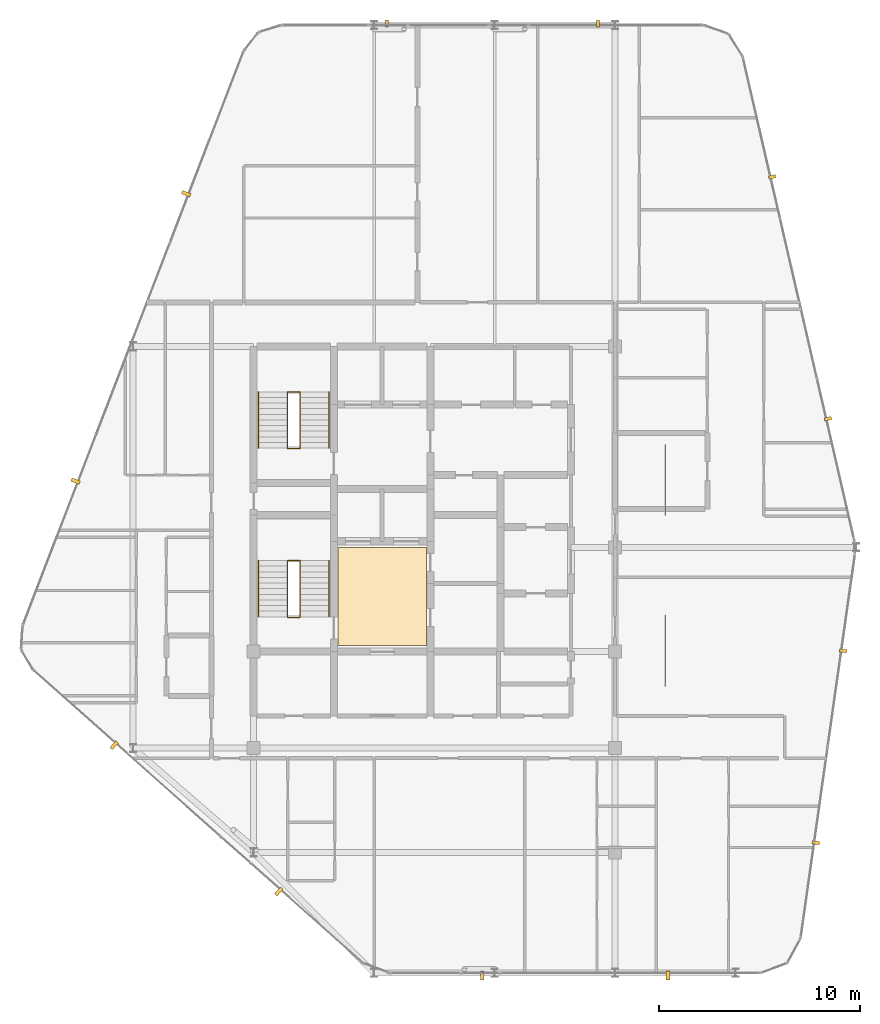
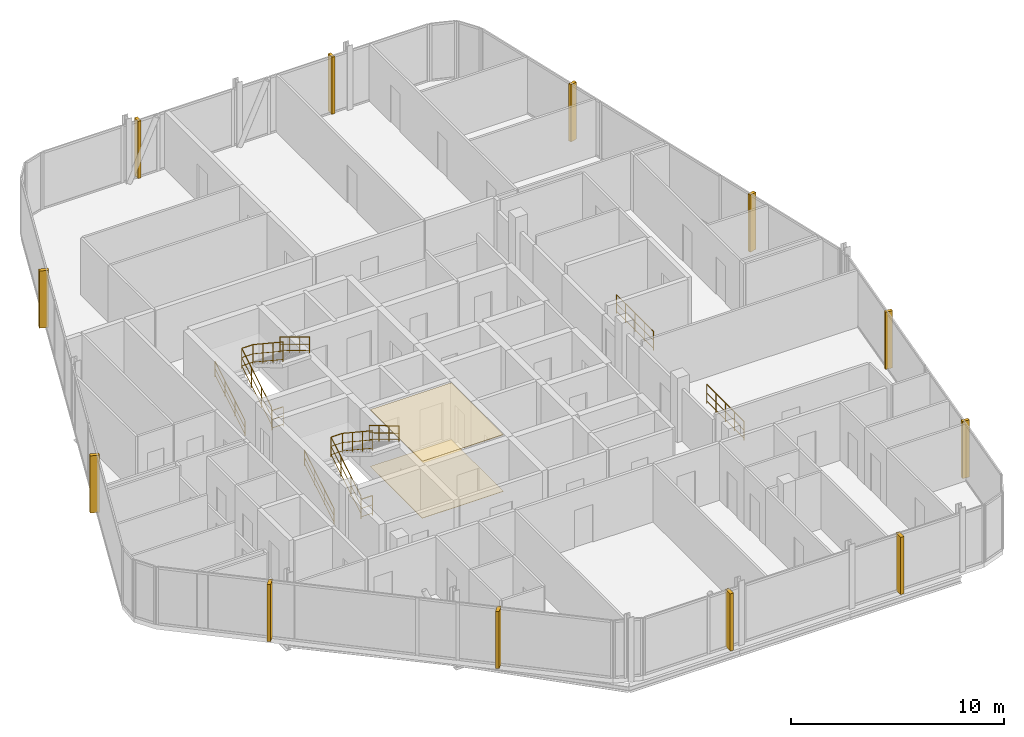
# One storey, part 27 of 27: 14 coverings, 10 railings.
"""IFC4 building model written with IfcOpenShell, lengths in metres."""

import ifcopenshell
import ifcopenshell.guid

model = None  # the IFC model being written
_history = None  # IfcOwnerHistory: only IFC2X3 demands one
_inside = {}  # id of a spatial element -> (the spatial element, [elements in it])
_under = {}  # id of a project, library or spatial element -> (it, [spatial elements below it])
_declared = {}  # id of a project -> (the project, [libraries it declares])
_typed = {}  # id of a type object -> (the type object, [elements of that type])
_made_of = {}  # id of a material, layer set ... -> (it, [elements and type objects made of it])


def new_model(schema):
    """Start an empty IFC model of exactly this schema.

    Asked for "IFC4X3", IfcOpenShell would pick the latest addendum, in which some entities
    have other attributes; the version numbers below select the first issue.
    IFC2X3 requires an IfcOwnerHistory on every rooted entity: one is made here for all.
    """
    global model, _history
    if schema == "IFC4X3":
        model = ifcopenshell.file(schema_version=(4, 3, 0, 0))
    else:
        model = ifcopenshell.file(schema=schema)
    _inside.clear()
    _under.clear()
    _declared.clear()
    _typed.clear()
    _made_of.clear()
    _history = None
    if model.schema == "IFC2X3":
        org = make("IfcOrganization", Name="unknown")
        user = make(
            "IfcPersonAndOrganization",
            ThePerson=make("IfcPerson", FamilyName="unknown"),
            TheOrganization=org,
        )
        app = make(
            "IfcApplication",
            ApplicationDeveloper=org,
            Version="unknown",
            ApplicationFullName="unknown",
            ApplicationIdentifier="unknown",
        )
        _history = make(
            "IfcOwnerHistory",
            OwningUser=user,
            OwningApplication=app,
            ChangeAction="ADDED",
            CreationDate=0,
        )
    return model


def make(cls, **values):
    """One entity of the class cls with the attributes given. An attribute that is None is left unset."""
    return model.create_entity(
        cls, **{name: value for name, value in values.items() if value is not None}
    )


def rooted(cls, **values):
    """An entity with a GlobalId (a new one), such as an element, a storey or a relation."""
    return make(cls, GlobalId=ifcopenshell.guid.new(), OwnerHistory=_history, **values)


def si_unit(unit_type, name, prefix=None):
    """IfcSIUnit, for example si_unit("LENGTHUNIT", "METRE", prefix="MILLI")."""
    return make("IfcSIUnit", UnitType=unit_type, Prefix=prefix, Name=name)


def assignment(units):
    """IfcUnitAssignment: the units of a project."""
    return None if units is None else make("IfcUnitAssignment", Units=units)


def point(xyz):
    """IfcCartesianPoint."""
    return None if xyz is None else make("IfcCartesianPoint", Coordinates=xyz)


def direction(xyz):
    """IfcDirection."""
    return None if xyz is None else make("IfcDirection", DirectionRatios=xyz)


def frame(location, z_axis=None, x_axis=None):
    """IfcAxis2Placement3D, a coordinate frame: its origin and axes. An axis left out is left unset."""
    return make(
        "IfcAxis2Placement3D",
        Location=point(location),
        Axis=direction(z_axis),
        RefDirection=direction(x_axis),
    )


def frame_2d(location, x_axis=None):
    """IfcAxis2Placement2D, a coordinate frame in the plane: its origin and x axis."""
    return make(
        "IfcAxis2Placement2D", Location=point(location), RefDirection=direction(x_axis)
    )


def origin():
    """The frame at (0, 0, 0) with its axes left unset."""
    return frame((0.0, 0.0, 0.0))


def origin_2d():
    """The frame at (0, 0) in the plane with its x axis left unset."""
    return frame_2d((0.0, 0.0))


def place(relative_to, where):
    """IfcLocalPlacement: puts the frame where relative to a parent placement (None: the world)."""
    return make(
        "IfcLocalPlacement", PlacementRelTo=relative_to, RelativePlacement=where
    )


def context(
    kind, dimensions, precision=None, world=None, true_north=None, identifier=None
):
    """IfcGeometricRepresentationContext, for example the 3D "Model" context."""
    return make(
        "IfcGeometricRepresentationContext",
        ContextIdentifier=identifier,
        ContextType=kind,
        CoordinateSpaceDimension=dimensions,
        Precision=precision,
        WorldCoordinateSystem=world,
        TrueNorth=true_north,
    )


def subcontext(parent, identifier, kind, view, scale=None):
    """IfcGeometricRepresentationSubContext, for example "Body" below "Model"."""
    return make(
        "IfcGeometricRepresentationSubContext",
        ContextIdentifier=identifier,
        ContextType=kind,
        ParentContext=parent,
        TargetScale=scale,
        TargetView=view,
    )


def project(units=None, contexts=None):
    """IfcProject with its units and contexts."""
    return rooted(
        "IfcProject",
        Name="project",
        RepresentationContexts=contexts,
        UnitsInContext=assignment(units),
    )


def spatial(cls, under=None, at=None, **own):
    """A site, building, storey or space (cls), placed at a placement, below another one or the project."""
    s = rooted(cls, ObjectPlacement=at, **own)
    if under is not None:
        _under.setdefault(under.id(), (under, []))[1].append(s)
    return s


def polyline(points):
    """IfcPolyline through the points."""
    return make("IfcPolyline", Points=[point(p) for p in points])


def profile(cls, at=None, kind="AREA", **sizes):
    """A parametric profile (cls). Its sizes go by their IFC names, for example OverallWidth=200.0."""
    return make(cls, ProfileType=kind, Position=at, **sizes)


def rectangle(**sizes):
    """IfcRectangleProfileDef."""
    return profile("IfcRectangleProfileDef", **sizes)


def circle(**sizes):
    """IfcCircleProfileDef."""
    return profile("IfcCircleProfileDef", **sizes)


def outline(outer, holes=None, kind="AREA"):
    """IfcArbitraryClosedProfileDef: a profile drawn as a closed curve; with holes, ...WithVoids."""
    if holes is None:
        return make("IfcArbitraryClosedProfileDef", ProfileType=kind, OuterCurve=outer)
    return make(
        "IfcArbitraryProfileDefWithVoids",
        ProfileType=kind,
        OuterCurve=outer,
        InnerCurves=holes,
    )


def extrude(swept, where, along, depth):
    """IfcExtrudedAreaSolid: the profile swept, set in the frame where, extruded along a direction by depth."""
    return make(
        "IfcExtrudedAreaSolid",
        SweptArea=swept,
        Position=where,
        ExtrudedDirection=direction(along),
        Depth=depth,
    )


def shape(context_of_items, identifier, shape_type, items):
    """IfcShapeRepresentation: the items that make up one representation, for example the "Body"."""
    return make(
        "IfcShapeRepresentation",
        ContextOfItems=context_of_items,
        RepresentationIdentifier=identifier,
        RepresentationType=shape_type,
        Items=items,
    )


def material(Name=None, Category=None):
    """IfcMaterial."""
    return make("IfcMaterial", Name=Name, Category=Category)


def layer(
    of_material, thickness, ventilated=None, Name=None, Category=None, Priority=None
):
    """IfcMaterialLayer: one layer of a wall or slab, of a material (None: an air gap)."""
    return make(
        "IfcMaterialLayer",
        Material=of_material,
        LayerThickness=thickness,
        IsVentilated=ventilated,
        Name=Name,
        Category=Category,
        Priority=Priority,
    )


def layer_set(layers, Name=None):
    """IfcMaterialLayerSet."""
    return make("IfcMaterialLayerSet", MaterialLayers=layers, LayerSetName=Name)


def made_of(thing, what):
    """Note that an element or type object is made of a material, layer set ...; save() writes the relation."""
    if what is not None:
        _made_of.setdefault(what.id(), (what, []))[1].append(thing)
    return thing


def type_object(cls, material=None, **own):
    """A type object (cls), such as IfcWallType, which elements share."""
    return made_of(rooted(cls, **own), material)


def element(
    cls,
    number,
    at=None,
    inside=None,
    cuts=None,
    type_object=None,
    material=None,
    context=None,
    identifier="Body",
    shape_type=None,
    held_by="IfcProductDefinitionShape",
    body=None,
    shapes=None,
    **own,
):
    """One element of the class cls, such as IfcWall. Its Tag is "e" and its number.

    at: its placement. inside: the storey or other place that contains it. cuts: it is an
    opening in that element (IfcRelVoidsElement). A single representation is given by context,
    identifier, shape_type and body (its items); several are given by shapes. held_by: the class
    of the entity that holds the representations. save() writes the other relations.
    """
    e = rooted(cls, Tag="e%d" % number, ObjectPlacement=at, **own)
    if body is not None:
        shapes = [shape(context, identifier, shape_type, body)]
    if shapes is not None:
        e.Representation = make(held_by, Representations=shapes)
    if inside is not None:
        _inside.setdefault(inside.id(), (inside, []))[1].append(e)
    if cuts is not None:
        rooted(
            "IfcRelVoidsElement", RelatingBuildingElement=cuts, RelatedOpeningElement=e
        )
    if type_object is not None:
        _typed.setdefault(type_object.id(), (type_object, []))[1].append(e)
    return made_of(e, material)


def aggregate(whole, parts):
    """IfcRelAggregates: a whole, such as a stair, and the parts it consists of."""
    return rooted("IfcRelAggregates", RelatingObject=whole, RelatedObjects=parts)


def save(model, path):
    """Write the relations noted so far, then the file.

    IfcRelAggregates (storeys below a building ...), IfcRelContainedInSpatialStructure (elements
    in a storey), IfcRelDefinesByType, IfcRelAssociatesMaterial and IfcRelDeclares: one each for
    every whole, place, type object, material and project.
    """
    for whole, parts in _under.values():
        aggregate(whole, parts)
    for where, things in _inside.values():
        rooted(
            "IfcRelContainedInSpatialStructure",
            RelatedElements=things,
            RelatingStructure=where,
        )
    for kind, things in _typed.values():
        rooted("IfcRelDefinesByType", RelatedObjects=things, RelatingType=kind)
    for what, things in _made_of.values():
        rooted("IfcRelAssociatesMaterial", RelatedObjects=things, RelatingMaterial=what)
    for by, libraries in _declared.values():
        rooted("IfcRelDeclares", RelatingContext=by, RelatedDefinitions=libraries)
    model.write(path)


model = new_model("IFC4")

# Units and contexts
model_context = context("Model", 3, precision=1e-05, world=origin(), true_north=direction((0.0, 1.0)))
body_context = subcontext(model_context, "Body", "Model", "MODEL_VIEW")
ifc_project = project(units=[si_unit("LENGTHUNIT", "METRE"), si_unit("AREAUNIT", "SQUARE_METRE"), si_unit("VOLUMEUNIT", "CUBIC_METRE"), si_unit("PLANEANGLEUNIT", "RADIAN"), si_unit("MASSUNIT", "GRAM", prefix="KILO")], contexts=[model_context])

# Site, building, storey
site_placement = place(None, origin())
site = spatial("IfcSite", under=ifc_project, at=site_placement, CompositionType="ELEMENT")
building_placement = place(site_placement, origin())
building = spatial("IfcBuilding", under=site, at=building_placement, Name="Keshet Zoharim Tower", CompositionType="ELEMENT")
storey_placement = place(building_placement, frame((0.0, 0.0, 311.0)))
storey = spatial("IfcBuildingStorey", under=building, at=storey_placement, Name="L78", CompositionType="ELEMENT", Elevation=311.0)

# Coverings
ifc_material_1 = material(Name="Gypsum Plasterboard", Category="gypsum")
ifc_layer_1 = layer(ifc_material_1, 0.02490234375)
ifc_layer_set_1 = layer_set([ifc_layer_1], Name="Gypsum Plasterboard")
covering_type_1 = type_object("IfcCoveringType", Name="CV-CLG-025", PredefinedType="CEILING", material=ifc_layer_set_1)
covering_1_placement = place(storey_placement, frame((0.0, 0.0, 3.2548828125)))
element("IfcCovering", 1, at=covering_1_placement, inside=storey, type_object=covering_type_1, Name="L78 Transfer Lobby Acoustic Ceiling", PredefinedType="CEILING", context=body_context, shape_type="SweptSolid", body=[
    extrude(outline(polyline([(19.199951171875, 23.0), (23.60009765625, 23.0), (23.60009765625, 27.89990234375), (19.199951171875, 27.89990234375), (19.199951171875, 23.0)])), origin(), (0.0, 0.0, 1.0), 0.025146484375),
])
ifc_material_2 = material(Name="Porcelain Ceramic Tile", Category="ceramic")
ifc_layer_2 = layer(ifc_material_2, 0.02001953125)
ifc_layer_set_2 = layer_set([ifc_layer_2], Name="Porcelain Ceramic Tile")
covering_type_2 = type_object("IfcCoveringType", Name="CV-FLR-020", PredefinedType="FLOORING", material=ifc_layer_set_2)
covering_2_placement = place(storey_placement, origin())
element("IfcCovering", 2, at=covering_2_placement, inside=storey, type_object=covering_type_2, Name="L78 Transfer Lobby Porcelain Flooring", PredefinedType="FLOORING", context=body_context, shape_type="SweptSolid", body=[
    extrude(outline(polyline([(19.199951171875, 23.0), (23.60009765625, 23.0), (23.60009765625, 27.89990234375), (19.199951171875, 27.89990234375), (19.199951171875, 23.0)])), origin(), (0.0, 0.0, 1.0), 0.02001953125),
])
ifc_material_3 = material(Name="Concrete C50/60 precast", Category="concrete")
covering_type_3 = type_object("IfcCoveringType", Name="FIN-SOL-360", PredefinedType="CLADDING", material=ifc_material_3)
for number, where, z_axis, x_axis, name in (
    (3, (21.633056640625, 53.97998046875, 0.0), (0.0, 0.0, 1.0), (1.0, 0.0, 0.0), "L78 Vertical Precast Solar Fin 03"),
    (4, (32.14990234375, 53.97998046875, 0.0), (0.0, 0.0, 1.0), (1.0, 0.0, 0.0), "L78 Vertical Precast Solar Fin 04"),
    (5, (40.824951171875, 46.345947265625, 0.0), (0.0, 0.0, 1.0), (0.224829963294, -0.974398012932, 0.0), "L78 Vertical Precast Solar Fin 05"),
    (6, (43.60400390625, 34.302001953125, 0.0), (0.0, 0.0, 1.0), (0.224829963294, -0.974398012932, 0.0), "L78 Vertical Precast Solar Fin 06"),
    (7, (44.35107421875, 22.742919921875, 0.0), (0.0, 0.0, 1.0), (-0.140137464177, -0.990132057422, 0.0), "L78 Vertical Precast Solar Fin 07"),
    (8, (42.998046875, 13.18701171875, 0.0), (0.0, 0.0, 1.0), (-0.140137464177, -0.990132057422, 0.0), "L78 Vertical Precast Solar Fin 08"),
):
    element("IfcCovering", number, at=place(storey_placement, frame(where, z_axis=z_axis, x_axis=x_axis)), inside=storey, type_object=covering_type_3, Name=name, PredefinedType="CLADDING", context=body_context, shape_type="SweptSolid", body=[
        extrude(rectangle(XDim=0.159912109375, YDim=0.360107421875, at=origin_2d()), origin(), (0.0, 0.0, 1.0), 3.280029296875),
    ])
covering_type_4 = type_object("IfcCoveringType", Name="FIN-SOL-450", PredefinedType="CLADDING", material=ifc_material_3)
for number, where, z_axis, x_axis, name in (
    (9, (6.133056640625, 31.194091796875, 0.0), (0.0, 0.0, 1.0), (0.358990003907, 0.933341404361, 0.0), "L78 Vertical Precast Solar Fin 01"),
    (10, (11.637939453125, 45.507080078125, 0.0), (0.0, 0.0, 1.0), (0.358990003907, 0.933341404361, 0.0), "L78 Vertical Precast Solar Fin 02"),
    (11, (35.636962890625, 6.574951171875, 0.0), (0.0, 0.0, 1.0), (-1.0, 0.0, 0.0), "L78 Vertical Precast Solar Fin 09"),
    (12, (26.385986328125, 6.574951171875, 0.0), (0.0, 0.0, 1.0), (-1.0, 0.0, 0.0), "L78 Vertical Precast Solar Fin 10"),
    (13, (16.25, 10.7548828125, 0.0), (0.0, 0.0, 1.0), (-0.747411833563, 0.66436100958, 0.0), "L78 Vertical Precast Solar Fin 11"),
    (14, (8.051025390625, 18.04296875, 0.0), (0.0, 0.0, 1.0), (-0.747411833563, 0.66436100958, 0.0), "L78 Vertical Precast Solar Fin 12"),
):
    element("IfcCovering", number, at=place(storey_placement, frame(where, z_axis=z_axis, x_axis=x_axis)), inside=storey, type_object=covering_type_4, Name=name, PredefinedType="CLADDING", context=body_context, shape_type="SweptSolid", body=[
        extrude(rectangle(XDim=0.179931640625, YDim=0.449951171875, at=origin_2d()), origin(), (0.0, 0.0, 1.0), 3.280029296875),
    ])

# Railings
ifc_material_4 = material(Name="Insulated Low-E Clear Glass", Category="glass")
ifc_layer_3 = layer(ifc_material_4, 0.080078125)
ifc_layer_set_3 = layer_set([ifc_layer_3], Name="Insulated Low-E Clear Glass")
railing_type_1 = type_object("IfcRailingType", Name="RL-BAL-110", PredefinedType="BALUSTRADE", material=ifc_layer_set_3)
for number, where, name in (
    (15, (35.5, 21.0, 0.0), "L78 Lobby Glazed Balustrade 01"),
    (16, (35.5, 29.5, 0.0), "L78 Lobby Glazed Balustrade 02"),
):
    element("IfcRailing", number, at=place(storey_placement, frame(where)), inside=storey, type_object=railing_type_1, Name=name, PredefinedType="BALUSTRADE", context=body_context, shape_type="SweptSolid", body=[
        extrude(circle(Radius=0.02392578125, at=origin_2d()), frame((0.0, 0.0, 1.076171875), z_axis=(0.0, 1.0, 0.0), x_axis=(-1.0, 0.0, 0.0)), (0.0, 0.0, 1.0), 3.5),
        extrude(circle(Radius=0.01611328125, at=origin_2d()), frame((0.0, 0.0, 0.572021484375), z_axis=(0.0, 1.0, 0.0), x_axis=(-1.0, 0.0, 0.0)), (0.0, 0.0, 1.0), 3.5),
        extrude(circle(Radius=0.01611328125, at=origin_2d()), frame((0.0, 0.0, 0.1201171875), z_axis=(0.0, 1.0, 0.0), x_axis=(-1.0, 0.0, 0.0)), (0.0, 0.0, 1.0), 3.5),
        extrude(circle(Radius=0.02099609375, at=origin_2d()), origin(), (0.0, 0.0, 1.0), 1.052001953125),
        extrude(circle(Radius=0.02099609375, at=origin_2d()), frame((0.0, 0.875, 0.0)), (0.0, 0.0, 1.0), 1.052001953125),
        extrude(circle(Radius=0.02099609375, at=origin_2d()), frame((0.0, 1.75, 0.0)), (0.0, 0.0, 1.0), 1.052001953125),
        extrude(circle(Radius=0.02099609375, at=origin_2d()), frame((0.0, 2.625, 0.0)), (0.0, 0.0, 1.0), 1.052001953125),
        extrude(circle(Radius=0.02099609375, at=origin_2d()), frame((0.0, 3.5, 0.0)), (0.0, 0.0, 1.0), 1.052001953125),
    ])
ifc_material_5 = material(Name="Steel S355", Category="steel")
ifc_layer_4 = layer(ifc_material_5, 0.050048828125)
ifc_layer_set_4 = layer_set([ifc_layer_4], Name="Steel S355")
railing_type_2 = type_object("IfcRailingType", Name="RL-HND-092", PredefinedType="HANDRAIL", material=ifc_layer_set_4)
railing_1_placement = place(storey_placement, frame((15.239990234375, 24.43994140625, 0.168212890625)))
element("IfcRailing", 17, at=railing_1_placement, inside=storey, type_object=railing_type_2, Name="L78 ST-01 Flight 1 Wall Handrail", PredefinedType="HANDRAIL", context=body_context, shape_type="SweptSolid", body=[
    extrude(circle(Radius=0.02392578125, at=origin_2d()), frame((0.0, 0.0, 0.89599609375), z_axis=(0.0, 0.857242210791, 0.514913383045), x_axis=(-1.0, 0.0, 0.0)), (0.0, 0.0, 1.0), 3.266357421875),
    extrude(circle(Radius=0.01611328125, at=origin_2d()), frame((0.0, 0.0, 0.478271484375), z_axis=(0.0, 0.857242210791, 0.514913383045), x_axis=(-1.0, 0.0, 0.0)), (0.0, 0.0, 1.0), 3.266357421875),
    extrude(circle(Radius=0.01611328125, at=origin_2d()), frame((0.0, 0.0, 0.1201171875), z_axis=(0.0, 0.857242210791, 0.514913383045), x_axis=(-1.0, 0.0, 0.0)), (0.0, 0.0, 1.0), 3.266357421875),
    extrude(circle(Radius=0.02099609375, at=origin_2d()), origin(), (0.0, 0.0, 1.0), 0.871826171875),
    extrude(circle(Radius=0.02099609375, at=origin_2d()), frame((0.0, 0.933349609375, 0.560546875)), (0.0, 0.0, 1.0), 0.871826171875),
    extrude(circle(Radius=0.02099609375, at=origin_2d()), frame((0.0, 1.86669921875, 1.121337890625)), (0.0, 0.0, 1.0), 0.871826171875),
    extrude(circle(Radius=0.02099609375, at=origin_2d()), frame((0.0, 2.800048828125, 1.681884765625)), (0.0, 0.0, 1.0), 0.871826171875),
])
railing_2_placement = place(storey_placement, frame((18.760009765625, 27.239990234375, 2.018310546875)))
element("IfcRailing", 18, at=railing_2_placement, inside=storey, type_object=railing_type_2, Name="L78 ST-01 Flight 2 Wall Handrail", PredefinedType="HANDRAIL", context=body_context, shape_type="SweptSolid", body=[
    extrude(circle(Radius=0.02392578125, at=origin_2d()), frame((0.0, 0.0, 0.89599609375), z_axis=(0.0, -0.857275202839, 0.514858452973), x_axis=(1.0, 0.0, 0.0)), (0.0, 0.0, 1.0), 3.26611328125),
    extrude(circle(Radius=0.01611328125, at=origin_2d()), frame((0.0, 0.0, 0.478271484375), z_axis=(0.0, -0.857275202839, 0.514858452973), x_axis=(1.0, 0.0, 0.0)), (0.0, 0.0, 1.0), 3.26611328125),
    extrude(circle(Radius=0.01611328125, at=origin_2d()), frame((0.0, 0.0, 0.1201171875), z_axis=(0.0, -0.857275202839, 0.514858452973), x_axis=(1.0, 0.0, 0.0)), (0.0, 0.0, 1.0), 3.26611328125),
    extrude(circle(Radius=0.02099609375, at=origin_2d()), origin(), (0.0, 0.0, 1.0), 0.871826171875),
    extrude(circle(Radius=0.02099609375, at=origin_2d()), frame((0.0, -0.933349609375, 0.560546875)), (0.0, 0.0, 1.0), 0.871826171875),
    extrude(circle(Radius=0.02099609375, at=origin_2d()), frame((0.0, -1.86669921875, 1.12109375)), (0.0, 0.0, 1.0), 0.871826171875),
    extrude(circle(Radius=0.02099609375, at=origin_2d()), frame((0.0, -2.800048828125, 1.681640625)), (0.0, 0.0, 1.0), 0.871826171875),
])
railing_3_placement = place(storey_placement, frame((15.239990234375, 32.840087890625, 0.168212890625)))
element("IfcRailing", 19, at=railing_3_placement, inside=storey, type_object=railing_type_2, Name="L78 ST-02 Flight 1 Wall Handrail", PredefinedType="HANDRAIL", context=body_context, shape_type="SweptSolid", body=[
    extrude(circle(Radius=0.02392578125, at=origin_2d()), frame((0.0, 0.0, 0.89599609375), z_axis=(0.0, 0.857222391501, 0.514946377315), x_axis=(-1.0, 0.0, 0.0)), (0.0, 0.0, 1.0), 3.26611328125),
    extrude(circle(Radius=0.01611328125, at=origin_2d()), frame((0.0, 0.0, 0.478271484375), z_axis=(0.0, 0.857222391501, 0.514946377315), x_axis=(-1.0, 0.0, 0.0)), (0.0, 0.0, 1.0), 3.26611328125),
    extrude(circle(Radius=0.01611328125, at=origin_2d()), frame((0.0, 0.0, 0.1201171875), z_axis=(0.0, 0.857222391501, 0.514946377315), x_axis=(-1.0, 0.0, 0.0)), (0.0, 0.0, 1.0), 3.26611328125),
    extrude(circle(Radius=0.02099609375, at=origin_2d()), origin(), (0.0, 0.0, 1.0), 0.871826171875),
    extrude(circle(Radius=0.02099609375, at=origin_2d()), frame((0.0, 0.933349609375, 0.560546875)), (0.0, 0.0, 1.0), 0.871826171875),
    extrude(circle(Radius=0.02099609375, at=origin_2d()), frame((0.0, 1.866455078125, 1.121337890625)), (0.0, 0.0, 1.0), 0.871826171875),
    extrude(circle(Radius=0.02099609375, at=origin_2d()), frame((0.0, 2.7998046875, 1.681884765625)), (0.0, 0.0, 1.0), 0.871826171875),
])
railing_4_placement = place(storey_placement, frame((18.760009765625, 35.639892578125, 2.018310546875)))
element("IfcRailing", 20, at=railing_4_placement, inside=storey, type_object=railing_type_2, Name="L78 ST-02 Flight 2 Wall Handrail", PredefinedType="HANDRAIL", context=body_context, shape_type="SweptSolid", body=[
    extrude(circle(Radius=0.02392578125, at=origin_2d()), frame((0.0, 0.0, 0.89599609375), z_axis=(0.0, -0.857255387014, 0.514891446264), x_axis=(1.0, 0.0, 0.0)), (0.0, 0.0, 1.0), 3.26611328125),
    extrude(circle(Radius=0.01611328125, at=origin_2d()), frame((0.0, 0.0, 0.478271484375), z_axis=(0.0, -0.857255387014, 0.514891446264), x_axis=(1.0, 0.0, 0.0)), (0.0, 0.0, 1.0), 3.26611328125),
    extrude(circle(Radius=0.01611328125, at=origin_2d()), frame((0.0, 0.0, 0.1201171875), z_axis=(0.0, -0.857255387014, 0.514891446264), x_axis=(1.0, 0.0, 0.0)), (0.0, 0.0, 1.0), 3.26611328125),
    extrude(circle(Radius=0.02099609375, at=origin_2d()), origin(), (0.0, 0.0, 1.0), 0.871826171875),
    extrude(circle(Radius=0.02099609375, at=origin_2d()), frame((0.0, -0.933349609375, 0.560546875)), (0.0, 0.0, 1.0), 0.871826171875),
    extrude(circle(Radius=0.02099609375, at=origin_2d()), frame((0.0, -1.866455078125, 1.12109375)), (0.0, 0.0, 1.0), 0.871826171875),
    extrude(circle(Radius=0.02099609375, at=origin_2d()), frame((0.0, -2.7998046875, 1.681640625)), (0.0, 0.0, 1.0), 0.871826171875),
])
ifc_layer_5 = layer(ifc_material_5, 0.06005859375)
ifc_layer_set_5 = layer_set([ifc_layer_5], Name="Steel S355")
railing_type_3 = type_object("IfcRailingType", Name="RL-STG-115", PredefinedType="GUARDRAIL", material=ifc_layer_set_5)
railing_5_placement = place(storey_placement, frame((16.68994140625, 24.43994140625, 0.168212890625)))
element("IfcRailing", 21, at=railing_5_placement, inside=storey, type_object=railing_type_3, Name="L78 ST-01 Inner Well Guardrail", PredefinedType="GUARDRAIL", context=body_context, shape_type="SweptSolid", body=[
    extrude(circle(Radius=0.02392578125, at=origin_2d()), frame((0.0, 0.0, 1.1259765625), z_axis=(0.0, 0.857242210791, 0.514913383045), x_axis=(-1.0, 0.0, 0.0)), (0.0, 0.0, 1.0), 3.266357421875),
    extrude(circle(Radius=0.01611328125, at=origin_2d()), frame((0.0, 0.0, 0.597900390625), z_axis=(0.0, 0.857242210791, 0.514913383045), x_axis=(-1.0, 0.0, 0.0)), (0.0, 0.0, 1.0), 3.266357421875),
    extrude(circle(Radius=0.01611328125, at=origin_2d()), frame((0.0, 0.0, 0.1201171875), z_axis=(0.0, 0.857242210791, 0.514913383045), x_axis=(-1.0, 0.0, 0.0)), (0.0, 0.0, 1.0), 3.266357421875),
    extrude(circle(Radius=0.02392578125, at=origin_2d()), frame((0.0, 2.800048828125, 2.8076171875), z_axis=(1.0, 0.0, 0.0), x_axis=(0.0, 1.0, 0.0)), (0.0, 0.0, 1.0), 0.6201171875),
    extrude(circle(Radius=0.01611328125, at=origin_2d()), frame((0.0, 2.800048828125, 2.27978515625), z_axis=(1.0, 0.0, 0.0), x_axis=(0.0, 1.0, 0.0)), (0.0, 0.0, 1.0), 0.6201171875),
    extrude(circle(Radius=0.01611328125, at=origin_2d()), frame((0.0, 2.800048828125, 1.802001953125), z_axis=(1.0, 0.0, 0.0), x_axis=(0.0, 1.0, 0.0)), (0.0, 0.0, 1.0), 0.6201171875),
    extrude(circle(Radius=0.02392578125, at=origin_2d()), frame((0.6201171875, 2.800048828125, 2.8076171875), z_axis=(0.0, -0.83435981716, 0.551220187865), x_axis=(1.0, 0.0, 0.0)), (0.0, 0.0, 1.0), 3.35595703125),
    extrude(circle(Radius=0.01611328125, at=origin_2d()), frame((0.6201171875, 2.800048828125, 2.27978515625), z_axis=(0.0, -0.83435981716, 0.551220187865), x_axis=(1.0, 0.0, 0.0)), (0.0, 0.0, 1.0), 3.35595703125),
    extrude(circle(Radius=0.01611328125, at=origin_2d()), frame((0.6201171875, 2.800048828125, 1.802001953125), z_axis=(0.0, -0.83435981716, 0.551220187865), x_axis=(1.0, 0.0, 0.0)), (0.0, 0.0, 1.0), 3.35595703125),
    extrude(circle(Radius=0.02099609375, at=origin_2d()), origin(), (0.0, 0.0, 1.0), 1.101806640625),
    extrude(circle(Radius=0.02099609375, at=origin_2d()), frame((0.0, 0.933349609375, 0.560546875)), (0.0, 0.0, 1.0), 1.101806640625),
    extrude(circle(Radius=0.02099609375, at=origin_2d()), frame((0.0, 1.86669921875, 1.121337890625)), (0.0, 0.0, 1.0), 1.101806640625),
    extrude(circle(Radius=0.02099609375, at=origin_2d()), frame((0.0, 2.800048828125, 1.681884765625)), (0.0, 0.0, 1.0), 1.101806640625),
    extrude(circle(Radius=0.02099609375, at=origin_2d()), frame((0.6201171875, 2.800048828125, 1.681884765625)), (0.0, 0.0, 1.0), 1.101806640625),
    extrude(circle(Radius=0.02099609375, at=origin_2d()), frame((0.6201171875, 1.86669921875, 2.298583984375)), (0.0, 0.0, 1.0), 1.101806640625),
    extrude(circle(Radius=0.02099609375, at=origin_2d()), frame((0.6201171875, 0.933349609375, 2.9150390625)), (0.0, 0.0, 1.0), 1.101806640625),
    extrude(circle(Radius=0.02099609375, at=origin_2d()), frame((0.6201171875, 0.0, 3.53173828125)), (0.0, 0.0, 1.0), 1.101806640625),
])
railing_6_placement = place(storey_placement, frame((16.68994140625, 24.409912109375, 0.0)))
element("IfcRailing", 22, at=railing_6_placement, inside=storey, type_object=railing_type_3, Name="L78 ST-01 Stairwell Floor Guardrail", PredefinedType="GUARDRAIL", context=body_context, shape_type="SweptSolid", body=[
    extrude(circle(Radius=0.02392578125, at=origin_2d()), frame((0.0, 0.0, 1.1259765625), z_axis=(1.0, 0.0, 0.0), x_axis=(0.0, 1.0, 0.0)), (0.0, 0.0, 1.0), 0.6201171875),
    extrude(circle(Radius=0.01611328125, at=origin_2d()), frame((0.0, 0.0, 0.597900390625), z_axis=(1.0, 0.0, 0.0), x_axis=(0.0, 1.0, 0.0)), (0.0, 0.0, 1.0), 0.6201171875),
    extrude(circle(Radius=0.01611328125, at=origin_2d()), frame((0.0, 0.0, 0.1201171875), z_axis=(1.0, 0.0, 0.0), x_axis=(0.0, 1.0, 0.0)), (0.0, 0.0, 1.0), 0.6201171875),
    extrude(circle(Radius=0.02099609375, at=origin_2d()), origin(), (0.0, 0.0, 1.0), 1.101806640625),
    extrude(circle(Radius=0.02099609375, at=origin_2d()), frame((0.6201171875, 0.0, 0.0)), (0.0, 0.0, 1.0), 1.101806640625),
])
railing_7_placement = place(storey_placement, frame((16.68994140625, 32.840087890625, 0.168212890625)))
element("IfcRailing", 23, at=railing_7_placement, inside=storey, type_object=railing_type_3, Name="L78 ST-02 Inner Well Guardrail", PredefinedType="GUARDRAIL", context=body_context, shape_type="SweptSolid", body=[
    extrude(circle(Radius=0.02392578125, at=origin_2d()), frame((0.0, 0.0, 1.1259765625), z_axis=(0.0, 0.857222391501, 0.514946377315), x_axis=(-1.0, 0.0, 0.0)), (0.0, 0.0, 1.0), 3.26611328125),
    extrude(circle(Radius=0.01611328125, at=origin_2d()), frame((0.0, 0.0, 0.597900390625), z_axis=(0.0, 0.857222391501, 0.514946377315), x_axis=(-1.0, 0.0, 0.0)), (0.0, 0.0, 1.0), 3.26611328125),
    extrude(circle(Radius=0.01611328125, at=origin_2d()), frame((0.0, 0.0, 0.1201171875), z_axis=(0.0, 0.857222391501, 0.514946377315), x_axis=(-1.0, 0.0, 0.0)), (0.0, 0.0, 1.0), 3.26611328125),
    extrude(circle(Radius=0.02392578125, at=origin_2d()), frame((0.0, 2.7998046875, 2.8076171875), z_axis=(1.0, 0.0, 0.0), x_axis=(0.0, 1.0, 0.0)), (0.0, 0.0, 1.0), 0.6201171875),
    extrude(circle(Radius=0.01611328125, at=origin_2d()), frame((0.0, 2.7998046875, 2.27978515625), z_axis=(1.0, 0.0, 0.0), x_axis=(0.0, 1.0, 0.0)), (0.0, 0.0, 1.0), 0.6201171875),
    extrude(circle(Radius=0.01611328125, at=origin_2d()), frame((0.0, 2.7998046875, 1.802001953125), z_axis=(1.0, 0.0, 0.0), x_axis=(0.0, 1.0, 0.0)), (0.0, 0.0, 1.0), 0.6201171875),
    extrude(circle(Radius=0.02392578125, at=origin_2d()), frame((0.6201171875, 2.7998046875, 2.8076171875), z_axis=(0.0, -0.834337710781, 0.551253647941), x_axis=(1.0, 0.0, 0.0)), (0.0, 0.0, 1.0), 3.355712890625),
    extrude(circle(Radius=0.01611328125, at=origin_2d()), frame((0.6201171875, 2.7998046875, 2.27978515625), z_axis=(0.0, -0.834337710781, 0.551253647941), x_axis=(1.0, 0.0, 0.0)), (0.0, 0.0, 1.0), 3.355712890625),
    extrude(circle(Radius=0.01611328125, at=origin_2d()), frame((0.6201171875, 2.7998046875, 1.802001953125), z_axis=(0.0, -0.834337710781, 0.551253647941), x_axis=(1.0, 0.0, 0.0)), (0.0, 0.0, 1.0), 3.355712890625),
    extrude(circle(Radius=0.02099609375, at=origin_2d()), origin(), (0.0, 0.0, 1.0), 1.101806640625),
    extrude(circle(Radius=0.02099609375, at=origin_2d()), frame((0.0, 0.933349609375, 0.560546875)), (0.0, 0.0, 1.0), 1.101806640625),
    extrude(circle(Radius=0.02099609375, at=origin_2d()), frame((0.0, 1.866455078125, 1.121337890625)), (0.0, 0.0, 1.0), 1.101806640625),
    extrude(circle(Radius=0.02099609375, at=origin_2d()), frame((0.0, 2.7998046875, 1.681884765625)), (0.0, 0.0, 1.0), 1.101806640625),
    extrude(circle(Radius=0.02099609375, at=origin_2d()), frame((0.6201171875, 2.7998046875, 1.681884765625)), (0.0, 0.0, 1.0), 1.101806640625),
    extrude(circle(Radius=0.02099609375, at=origin_2d()), frame((0.6201171875, 1.866455078125, 2.298583984375)), (0.0, 0.0, 1.0), 1.101806640625),
    extrude(circle(Radius=0.02099609375, at=origin_2d()), frame((0.6201171875, 0.933349609375, 2.9150390625)), (0.0, 0.0, 1.0), 1.101806640625),
    extrude(circle(Radius=0.02099609375, at=origin_2d()), frame((0.6201171875, 0.0, 3.53173828125)), (0.0, 0.0, 1.0), 1.101806640625),
])
railing_8_placement = place(storey_placement, frame((16.68994140625, 32.81005859375, 0.0)))
element("IfcRailing", 24, at=railing_8_placement, inside=storey, type_object=railing_type_3, Name="L78 ST-02 Stairwell Floor Guardrail", PredefinedType="GUARDRAIL", context=body_context, shape_type="SweptSolid", body=[
    extrude(circle(Radius=0.02392578125, at=origin_2d()), frame((0.0, 0.0, 1.1259765625), z_axis=(1.0, 0.0, 0.0), x_axis=(0.0, 1.0, 0.0)), (0.0, 0.0, 1.0), 0.6201171875),
    extrude(circle(Radius=0.01611328125, at=origin_2d()), frame((0.0, 0.0, 0.597900390625), z_axis=(1.0, 0.0, 0.0), x_axis=(0.0, 1.0, 0.0)), (0.0, 0.0, 1.0), 0.6201171875),
    extrude(circle(Radius=0.01611328125, at=origin_2d()), frame((0.0, 0.0, 0.1201171875), z_axis=(1.0, 0.0, 0.0), x_axis=(0.0, 1.0, 0.0)), (0.0, 0.0, 1.0), 0.6201171875),
    extrude(circle(Radius=0.02099609375, at=origin_2d()), origin(), (0.0, 0.0, 1.0), 1.101806640625),
    extrude(circle(Radius=0.02099609375, at=origin_2d()), frame((0.6201171875, 0.0, 0.0)), (0.0, 0.0, 1.0), 1.101806640625),
])

save(model, "model.ifc")
